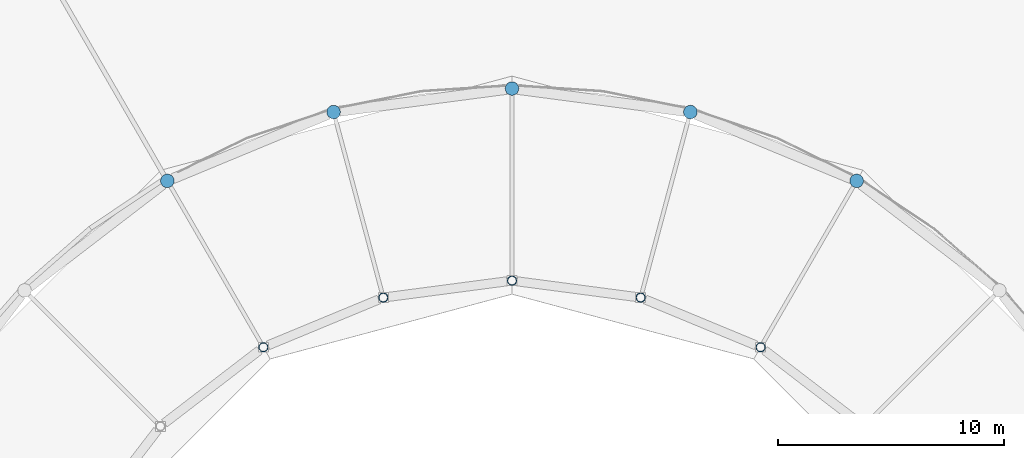
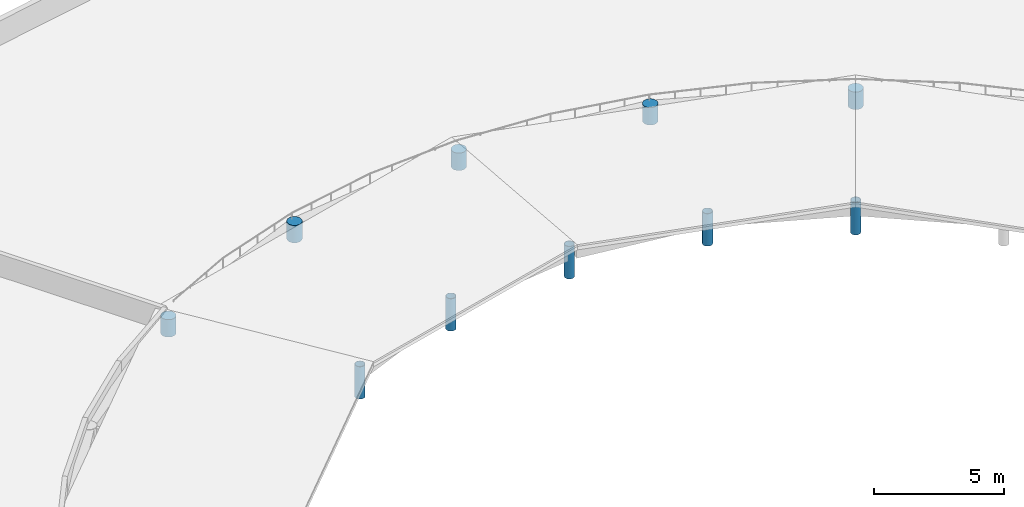
# One storey, part 7 of 77: 10 columns.
"""IFC4 building model written with IfcOpenShell, lengths in metres."""

import ifcopenshell
import ifcopenshell.guid

model = None  # the IFC model being written
_history = None  # IfcOwnerHistory: only IFC2X3 demands one
_inside = {}  # id of a spatial element -> (the spatial element, [elements in it])
_under = {}  # id of a project, library or spatial element -> (it, [spatial elements below it])
_declared = {}  # id of a project -> (the project, [libraries it declares])
_typed = {}  # id of a type object -> (the type object, [elements of that type])
_made_of = {}  # id of a material, layer set ... -> (it, [elements and type objects made of it])


def new_model(schema):
    """Start an empty IFC model of exactly this schema.

    Asked for "IFC4X3", IfcOpenShell would pick the latest addendum, in which some entities
    have other attributes; the version numbers below select the first issue.
    IFC2X3 requires an IfcOwnerHistory on every rooted entity: one is made here for all.
    """
    global model, _history
    if schema == "IFC4X3":
        model = ifcopenshell.file(schema_version=(4, 3, 0, 0))
    else:
        model = ifcopenshell.file(schema=schema)
    _inside.clear()
    _under.clear()
    _declared.clear()
    _typed.clear()
    _made_of.clear()
    _history = None
    if model.schema == "IFC2X3":
        org = make("IfcOrganization", Name="unknown")
        user = make(
            "IfcPersonAndOrganization",
            ThePerson=make("IfcPerson", FamilyName="unknown"),
            TheOrganization=org,
        )
        app = make(
            "IfcApplication",
            ApplicationDeveloper=org,
            Version="unknown",
            ApplicationFullName="unknown",
            ApplicationIdentifier="unknown",
        )
        _history = make(
            "IfcOwnerHistory",
            OwningUser=user,
            OwningApplication=app,
            ChangeAction="ADDED",
            CreationDate=0,
        )
    return model


def make(cls, **values):
    """One entity of the class cls with the attributes given. An attribute that is None is left unset."""
    return model.create_entity(
        cls, **{name: value for name, value in values.items() if value is not None}
    )


def rooted(cls, **values):
    """An entity with a GlobalId (a new one), such as an element, a storey or a relation."""
    return make(cls, GlobalId=ifcopenshell.guid.new(), OwnerHistory=_history, **values)


def si_unit(unit_type, name, prefix=None):
    """IfcSIUnit, for example si_unit("LENGTHUNIT", "METRE", prefix="MILLI")."""
    return make("IfcSIUnit", UnitType=unit_type, Prefix=prefix, Name=name)


def assignment(units):
    """IfcUnitAssignment: the units of a project."""
    return None if units is None else make("IfcUnitAssignment", Units=units)


def point(xyz):
    """IfcCartesianPoint."""
    return None if xyz is None else make("IfcCartesianPoint", Coordinates=xyz)


def direction(xyz):
    """IfcDirection."""
    return None if xyz is None else make("IfcDirection", DirectionRatios=xyz)


def frame(location, z_axis=None, x_axis=None):
    """IfcAxis2Placement3D, a coordinate frame: its origin and axes. An axis left out is left unset."""
    return make(
        "IfcAxis2Placement3D",
        Location=point(location),
        Axis=direction(z_axis),
        RefDirection=direction(x_axis),
    )


def frame_2d(location, x_axis=None):
    """IfcAxis2Placement2D, a coordinate frame in the plane: its origin and x axis."""
    return make(
        "IfcAxis2Placement2D", Location=point(location), RefDirection=direction(x_axis)
    )


def origin():
    """The frame at (0, 0, 0) with its axes left unset."""
    return frame((0.0, 0.0, 0.0))


def origin_2d():
    """The frame at (0, 0) in the plane with its x axis left unset."""
    return frame_2d((0.0, 0.0))


def place(relative_to, where):
    """IfcLocalPlacement: puts the frame where relative to a parent placement (None: the world)."""
    return make(
        "IfcLocalPlacement", PlacementRelTo=relative_to, RelativePlacement=where
    )


def context(
    kind, dimensions, precision=None, world=None, true_north=None, identifier=None
):
    """IfcGeometricRepresentationContext, for example the 3D "Model" context."""
    return make(
        "IfcGeometricRepresentationContext",
        ContextIdentifier=identifier,
        ContextType=kind,
        CoordinateSpaceDimension=dimensions,
        Precision=precision,
        WorldCoordinateSystem=world,
        TrueNorth=true_north,
    )


def subcontext(parent, identifier, kind, view, scale=None):
    """IfcGeometricRepresentationSubContext, for example "Body" below "Model"."""
    return make(
        "IfcGeometricRepresentationSubContext",
        ContextIdentifier=identifier,
        ContextType=kind,
        ParentContext=parent,
        TargetScale=scale,
        TargetView=view,
    )


def project(units=None, contexts=None):
    """IfcProject with its units and contexts."""
    return rooted(
        "IfcProject",
        Name="project",
        RepresentationContexts=contexts,
        UnitsInContext=assignment(units),
    )


def spatial(cls, under=None, at=None, **own):
    """A site, building, storey or space (cls), placed at a placement, below another one or the project."""
    s = rooted(cls, ObjectPlacement=at, **own)
    if under is not None:
        _under.setdefault(under.id(), (under, []))[1].append(s)
    return s


def profile(cls, at=None, kind="AREA", **sizes):
    """A parametric profile (cls). Its sizes go by their IFC names, for example OverallWidth=200.0."""
    return make(cls, ProfileType=kind, Position=at, **sizes)


def circle(**sizes):
    """IfcCircleProfileDef."""
    return profile("IfcCircleProfileDef", **sizes)


def hollow_circle(**sizes):
    """IfcCircleHollowProfileDef."""
    return profile("IfcCircleHollowProfileDef", **sizes)


def extrude(swept, where, along, depth):
    """IfcExtrudedAreaSolid: the profile swept, set in the frame where, extruded along a direction by depth."""
    return make(
        "IfcExtrudedAreaSolid",
        SweptArea=swept,
        Position=where,
        ExtrudedDirection=direction(along),
        Depth=depth,
    )


def shape(context_of_items, identifier, shape_type, items):
    """IfcShapeRepresentation: the items that make up one representation, for example the "Body"."""
    return make(
        "IfcShapeRepresentation",
        ContextOfItems=context_of_items,
        RepresentationIdentifier=identifier,
        RepresentationType=shape_type,
        Items=items,
    )


def material(Name=None, Category=None):
    """IfcMaterial."""
    return make("IfcMaterial", Name=Name, Category=Category)


def material_profile(
    of_material, cross_section, Name=None, Category=None, Priority=None
):
    """IfcMaterialProfile: a cross section and its material."""
    return make(
        "IfcMaterialProfile",
        Name=Name,
        Material=of_material,
        Profile=cross_section,
        Priority=Priority,
        Category=Category,
    )


def profile_set(profiles, Name=None, composite=None):
    """IfcMaterialProfileSet."""
    return make(
        "IfcMaterialProfileSet",
        Name=Name,
        MaterialProfiles=profiles,
        CompositeProfile=composite,
    )


def made_of(thing, what):
    """Note that an element or type object is made of a material, layer set ...; save() writes the relation."""
    if what is not None:
        _made_of.setdefault(what.id(), (what, []))[1].append(thing)
    return thing


def type_object(cls, material=None, **own):
    """A type object (cls), such as IfcWallType, which elements share."""
    return made_of(rooted(cls, **own), material)


def element(
    cls,
    number,
    at=None,
    inside=None,
    cuts=None,
    type_object=None,
    material=None,
    context=None,
    identifier="Body",
    shape_type=None,
    held_by="IfcProductDefinitionShape",
    body=None,
    shapes=None,
    **own,
):
    """One element of the class cls, such as IfcWall. Its Tag is "e" and its number.

    at: its placement. inside: the storey or other place that contains it. cuts: it is an
    opening in that element (IfcRelVoidsElement). A single representation is given by context,
    identifier, shape_type and body (its items); several are given by shapes. held_by: the class
    of the entity that holds the representations. save() writes the other relations.
    """
    e = rooted(cls, Tag="e%d" % number, ObjectPlacement=at, **own)
    if body is not None:
        shapes = [shape(context, identifier, shape_type, body)]
    if shapes is not None:
        e.Representation = make(held_by, Representations=shapes)
    if inside is not None:
        _inside.setdefault(inside.id(), (inside, []))[1].append(e)
    if cuts is not None:
        rooted(
            "IfcRelVoidsElement", RelatingBuildingElement=cuts, RelatedOpeningElement=e
        )
    if type_object is not None:
        _typed.setdefault(type_object.id(), (type_object, []))[1].append(e)
    return made_of(e, material)


def aggregate(whole, parts):
    """IfcRelAggregates: a whole, such as a stair, and the parts it consists of."""
    return rooted("IfcRelAggregates", RelatingObject=whole, RelatedObjects=parts)


def save(model, path):
    """Write the relations noted so far, then the file.

    IfcRelAggregates (storeys below a building ...), IfcRelContainedInSpatialStructure (elements
    in a storey), IfcRelDefinesByType, IfcRelAssociatesMaterial and IfcRelDeclares: one each for
    every whole, place, type object, material and project.
    """
    for whole, parts in _under.values():
        aggregate(whole, parts)
    for where, things in _inside.values():
        rooted(
            "IfcRelContainedInSpatialStructure",
            RelatedElements=things,
            RelatingStructure=where,
        )
    for kind, things in _typed.values():
        rooted("IfcRelDefinesByType", RelatedObjects=things, RelatingType=kind)
    for what, things in _made_of.values():
        rooted("IfcRelAssociatesMaterial", RelatedObjects=things, RelatingMaterial=what)
    for by, libraries in _declared.values():
        rooted("IfcRelDeclares", RelatingContext=by, RelatedDefinitions=libraries)
    model.write(path)


model = new_model("IFC4")

# Units and contexts
model_context = context("Model", 3, precision=1e-05, world=origin(), true_north=direction((0.0, 1.0)))
body_context = subcontext(model_context, "Body", "Model", "MODEL_VIEW")
ifc_project = project(units=[si_unit("LENGTHUNIT", "METRE"), si_unit("AREAUNIT", "SQUARE_METRE"), si_unit("VOLUMEUNIT", "CUBIC_METRE"), si_unit("PLANEANGLEUNIT", "RADIAN"), si_unit("MASSUNIT", "GRAM", prefix="KILO")], contexts=[model_context])

# Site, building, storey
site_placement = place(None, origin())
site = spatial("IfcSite", under=ifc_project, at=site_placement, CompositionType="ELEMENT")
building_placement = place(site_placement, origin())
building = spatial("IfcBuilding", under=site, at=building_placement, Name="Larkveld Mobility Hub", CompositionType="ELEMENT")
storey_placement = place(building_placement, frame((0.0, 0.0, 12.0)))
storey = spatial("IfcBuildingStorey", under=building, at=storey_placement, Name="L03", CompositionType="ELEMENT", Elevation=12.0)

# Columns
ifc_material_1 = material(Name="Concrete C40/50", Category="concrete")
ifc_material_profile_1 = material_profile(ifc_material_1, circle(Radius=0.300048828125, at=origin_2d()), Name="RC COL D600")
ifc_profile_set_1 = profile_set([ifc_material_profile_1], Name="Concrete C40/50")
column_type_1 = type_object("IfcColumnType", Name="CL-RCD600", PredefinedType="COLUMN", material=ifc_profile_set_1)
for number, where, z_axis, x_axis, name in (
    (1, (63.25, 74.4140625, 0.0), (0.0, 0.0, 1.0), (1.0, 0.0, 0.0), "Column DRM-R30-K08 (L03)"),
    (2, (55.89404296875, 77.4609375, 0.0), (0.0, 0.0, 1.0), (1.0, 0.0, 0.0), "Column DRM-R30-K10 (L03)"),
    (3, (48.0, 78.5, 0.0), (0.0, 0.0, 1.0), (1.0, 0.0, 0.0), "Column DRM-R30-K12 (L03)"),
    (4, (40.10595703125, 77.4609375, 0.0), (0.0, 0.0, 1.0), (1.0, 0.0, 0.0), "Column DRM-R30-K14 (L03)"),
    (5, (32.75, 74.4140625, 0.0), (0.0, 0.0, 1.0), (1.0, 0.0, 0.0), "Column DRM-R30-K16 (L03)"),
):
    element("IfcColumn", number, at=place(storey_placement, frame(where, z_axis=z_axis, x_axis=x_axis)), inside=storey, type_object=column_type_1, Name=name, PredefinedType="COLUMN", context=body_context, shape_type="SweptSolid", body=[
        extrude(circle(Radius=0.300048828125, at=origin_2d()), origin(), (0.0, 0.0, 1.0), 0.820068359375),
    ])
ifc_material_2 = material(Name="Steel S355JR", Category="steel")
ifc_material_profile_2 = material_profile(ifc_material_2, hollow_circle(Radius=0.203125, WallThickness=0.01611328125, at=origin_2d()), Name="CHS 406.4x16")
ifc_profile_set_2 = profile_set([ifc_material_profile_2], Name="Steel S355JR")
column_type_2 = type_object("IfcColumnType", Name="CL-STCHS406", PredefinedType="COLUMN", material=ifc_profile_set_2)
for number, where, z_axis, x_axis, name in (
    (6, (59.0, 67.052978515625, 0.0), (0.0, 0.0, 1.0), (1.0, 0.0, 0.0), "Column DRM-R22-K08 (L03)"),
    (7, (53.694091796875, 69.25, 0.0), (0.0, 0.0, 1.0), (1.0, 0.0, 0.0), "Column DRM-R22-K10 (L03)"),
    (8, (48.0, 70.0, 0.0), (0.0, 0.0, 1.0), (1.0, 0.0, 0.0), "Column DRM-R22-K12 (L03)"),
    (9, (42.305908203125, 69.25, 0.0), (0.0, 0.0, 1.0), (1.0, 0.0, 0.0), "Column DRM-R22-K14 (L03)"),
    (10, (37.0, 67.052978515625, 0.0), (0.0, 0.0, 1.0), (1.0, 0.0, 0.0), "Column DRM-R22-K16 (L03)"),
):
    element("IfcColumn", number, at=place(storey_placement, frame(where, z_axis=z_axis, x_axis=x_axis)), inside=storey, type_object=column_type_2, Name=name, PredefinedType="COLUMN", context=body_context, shape_type="SweptSolid", body=[
        extrude(hollow_circle(Radius=0.203125, WallThickness=0.01611328125, at=origin_2d()), origin(), (0.0, 0.0, 1.0), 1.52001953125),
    ])

save(model, "model.ifc")
